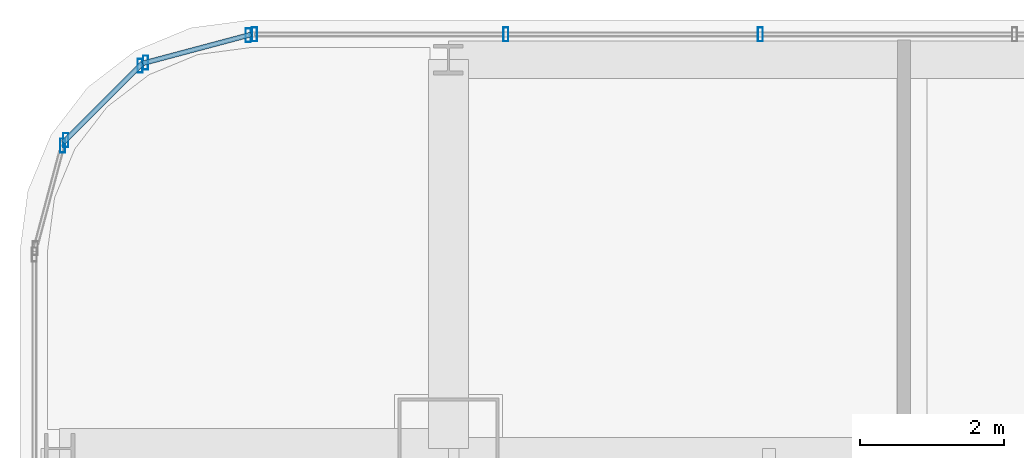
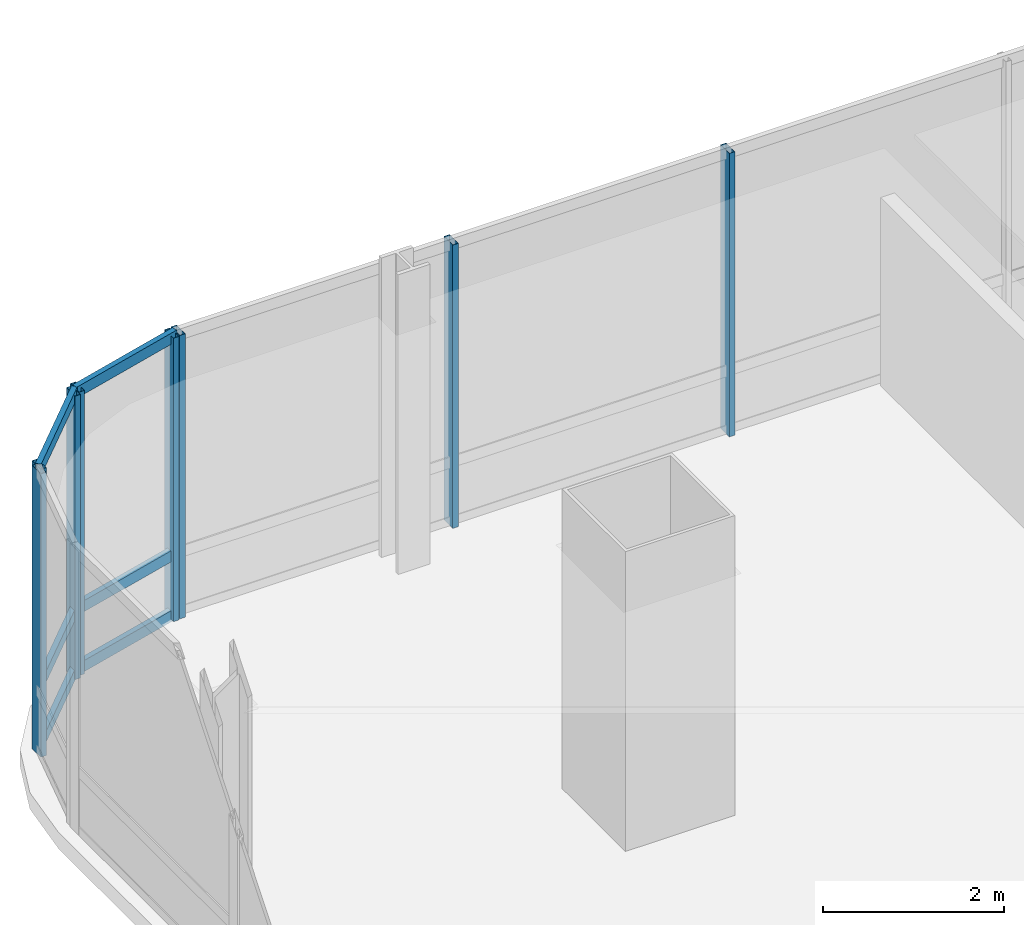
# One storey, part 21 of 38: 14 members, 4 elements without a shape of their own.
"""IFC4 building model written with IfcOpenShell, lengths in metres."""

from ifc_helpers import new_model, si_unit, direction, frame, origin, origin_2d, place, context, subcontext, project, spatial, hollow_rectangle, extrude, material, material_profile, profile_set, type_object, element, aggregate, save


model = new_model("IFC4")

# Units and contexts
model_context = context("Model", 3, precision=1e-05, world=origin(), true_north=direction((0.0, 1.0)))
body_context = subcontext(model_context, "Body", "Model", "MODEL_VIEW")
ifc_project = project(units=[si_unit("LENGTHUNIT", "METRE"), si_unit("AREAUNIT", "SQUARE_METRE"), si_unit("VOLUMEUNIT", "CUBIC_METRE"), si_unit("PLANEANGLEUNIT", "RADIAN"), si_unit("MASSUNIT", "GRAM", prefix="KILO")], contexts=[model_context])

# Site, building, storey
site_placement = place(None, origin())
site = spatial("IfcSite", under=ifc_project, at=site_placement, CompositionType="ELEMENT")
building_placement = place(site_placement, origin())
building = spatial("IfcBuilding", under=site, at=building_placement, Name="Punatoya Terracotta Tower", CompositionType="ELEMENT")
storey_placement = place(building_placement, frame((0.0, 0.0, 143.85009765625)))
storey = spatial("IfcBuildingStorey", under=building, at=storey_placement, Name="L33", CompositionType="ELEMENT", Elevation=143.85009765625)

# Curtain wall, members
ifc_material_1 = material(Name="Aluminium 6063-T6 + Double Low-E Glass", Category="aluminium")
curtain_wall_type = type_object("IfcCurtainWallType", Name="CW-M2", PredefinedType="NOTDEFINED", material=ifc_material_1)
curtain_wall_1_placement = place(storey_placement, origin())
curtain_wall_1 = element("IfcCurtainWall", 1, at=curtain_wall_1_placement, inside=storey, type_object=curtain_wall_type, Name="L33 Curtain Wall CW-L33-N09-1", PredefinedType="NOTDEFINED")
ifc_material_2 = material(Name="Aluminium 6063-T6", Category="aluminium")
ifc_material_profile_1 = material_profile(ifc_material_2, hollow_rectangle(XDim=0.072021484375, YDim=0.195068359375, WallThickness=0.00439453125, at=origin_2d()))
ifc_profile_set_1 = profile_set([ifc_material_profile_1], Name="Aluminium 6063-T6")
member_type_1 = type_object("IfcMemberType", Name="CW-MUL-M2", PredefinedType="MULLION", material=ifc_profile_set_1)
member_1_placement = place(storey_placement, frame((-14.768798828125, 23.25, 0.0), z_axis=(0.0, 0.0, 1.0), x_axis=(1.0, 0.0, 0.0)))
member_1 = element("IfcMember", 2, at=member_1_placement, type_object=member_type_1, Name="CW-L33-N09-1 Mullion 09", PredefinedType="MULLION", context=body_context, shape_type="SweptSolid", body=[
    extrude(hollow_rectangle(XDim=0.072021484375, YDim=0.195068359375, WallThickness=0.00439453125, at=origin_2d()), origin(), (0.0, 0.0, 1.0), 3.829833984375),
])
member_2_placement = place(storey_placement, frame((-18.302978515625, 23.25, 0.0), z_axis=(0.0, 0.0, 1.0), x_axis=(1.0, 0.0, 0.0)))
member_2 = element("IfcMember", 3, at=member_2_placement, type_object=member_type_1, Name="CW-L33-N09-1 Mullion 10", PredefinedType="MULLION", context=body_context, shape_type="SweptSolid", body=[
    extrude(hollow_rectangle(XDim=0.072021484375, YDim=0.195068359375, WallThickness=0.00439453125, at=origin_2d()), origin(), (0.0, 0.0, 1.0), 3.829833984375),
])
member_3_placement = place(storey_placement, frame((-21.7919921875, 23.25, 0.0), z_axis=(0.0, 0.0, 1.0), x_axis=(1.0, 0.0, 0.0)))
member_3 = element("IfcMember", 4, at=member_3_placement, type_object=member_type_1, Name="CW-L33-N09-1 Mullion 11", PredefinedType="MULLION", context=body_context, shape_type="SweptSolid", body=[
    extrude(hollow_rectangle(XDim=0.072021484375, YDim=0.195068359375, WallThickness=0.00439453125, at=origin_2d()), origin(), (0.0, 0.0, 1.0), 3.829833984375),
])
aggregate(curtain_wall_1, [member_1, member_2, member_3])

curtain_wall_2_placement = place(storey_placement, origin())
curtain_wall_2 = element("IfcCurtainWall", 5, at=curtain_wall_2_placement, inside=storey, type_object=curtain_wall_type, Name="L33 Curtain Wall CW-L33-CRN10", PredefinedType="NOTDEFINED")
member_4_placement = place(storey_placement, frame((-21.88037109375, 23.23828125, 0.0), z_axis=(0.0, 0.0, 1.0), x_axis=(1.0, 0.0, 0.0)))
member_4 = element("IfcMember", 6, at=member_4_placement, type_object=member_type_1, Name="CW-L33-CRN10 Mullion 00", PredefinedType="MULLION", context=body_context, shape_type="SweptSolid", body=[
    extrude(hollow_rectangle(XDim=0.072021484375, YDim=0.195068359375, WallThickness=0.00439453125, at=origin_2d()), origin(), (0.0, 0.0, 1.0), 3.829833984375),
])
member_5_placement = place(storey_placement, frame((-23.3056640625, 22.858154296875, 0.0), z_axis=(0.0, 0.0, 1.0), x_axis=(1.0, 0.0, 0.0)))
member_5 = element("IfcMember", 7, at=member_5_placement, type_object=member_type_1, Name="CW-L33-CRN10 Mullion 01", PredefinedType="MULLION", context=body_context, shape_type="SweptSolid", body=[
    extrude(hollow_rectangle(XDim=0.072021484375, YDim=0.195068359375, WallThickness=0.00439453125, at=origin_2d()), origin(), (0.0, 0.0, 1.0), 3.829833984375),
])

curtain_wall_3_placement = place(storey_placement, origin())
curtain_wall_3 = element("IfcCurtainWall", 8, at=curtain_wall_3_placement, inside=storey, type_object=curtain_wall_type, Name="L33 Curtain Wall CW-L33-CRN11", PredefinedType="NOTDEFINED")
member_6_placement = place(storey_placement, frame((-23.380859375, 22.814697265625, 0.0), z_axis=(0.0, 0.0, 1.0), x_axis=(1.0, 0.0, 0.0)))
member_6 = element("IfcMember", 9, at=member_6_placement, type_object=member_type_1, Name="CW-L33-CRN11 Mullion 00", PredefinedType="MULLION", context=body_context, shape_type="SweptSolid", body=[
    extrude(hollow_rectangle(XDim=0.072021484375, YDim=0.195068359375, WallThickness=0.00439453125, at=origin_2d()), origin(), (0.0, 0.0, 1.0), 3.829833984375),
])
member_7_placement = place(storey_placement, frame((-24.414794921875, 21.781005859375, 0.0), z_axis=(0.0, 0.0, 1.0), x_axis=(1.0, 0.0, 0.0)))
member_7 = element("IfcMember", 10, at=member_7_placement, type_object=member_type_1, Name="CW-L33-CRN11 Mullion 01", PredefinedType="MULLION", context=body_context, shape_type="SweptSolid", body=[
    extrude(hollow_rectangle(XDim=0.072021484375, YDim=0.195068359375, WallThickness=0.00439453125, at=origin_2d()), origin(), (0.0, 0.0, 1.0), 3.829833984375),
])

# Curtain wall, member
curtain_wall_4_placement = place(storey_placement, origin())
curtain_wall_4 = element("IfcCurtainWall", 11, at=curtain_wall_4_placement, inside=storey, type_object=curtain_wall_type, Name="L33 Curtain Wall CW-L33-CRN12", PredefinedType="NOTDEFINED")
member_8_placement = place(storey_placement, frame((-24.458251953125, 21.70556640625, 0.0), z_axis=(0.0, 0.0, 1.0), x_axis=(1.0, 0.0, 0.0)))
member_8 = element("IfcMember", 12, at=member_8_placement, type_object=member_type_1, Name="CW-L33-CRN12 Mullion 00", PredefinedType="MULLION", context=body_context, shape_type="SweptSolid", body=[
    extrude(hollow_rectangle(XDim=0.072021484375, YDim=0.195068359375, WallThickness=0.00439453125, at=origin_2d()), origin(), (0.0, 0.0, 1.0), 3.829833984375),
])
aggregate(curtain_wall_4, [member_8])

# Member
ifc_material_profile_2 = material_profile(ifc_material_2, hollow_rectangle(XDim=0.068115234375, YDim=0.14990234375, WallThickness=0.00390625, at=origin_2d()))
ifc_profile_set_2 = profile_set([ifc_material_profile_2], Name="Aluminium 6063-T6")
member_type_2 = type_object("IfcMemberType", Name="CW-TRN-TYP", PredefinedType="USERDEFINED", material=ifc_profile_set_2)
member_9_placement = place(storey_placement, frame((-21.8369140625, 23.25, 0.039794921875), z_axis=(-0.966224582397, -0.257701486942, 0.0), x_axis=(0.257701486942, -0.966224582397, 0.0)))
member_9 = element("IfcMember", 13, at=member_9_placement, type_object=member_type_2, Name="CW-L33-CRN10 Transom 1", ObjectType="TRANSOM", PredefinedType="USERDEFINED", context=body_context, shape_type="SweptSolid", body=[
    extrude(hollow_rectangle(XDim=0.068115234375, YDim=0.14990234375, WallThickness=0.00390625, at=origin_2d()), origin(), (0.0, 0.0, 1.0), 1.565185546875),
])

member_10_placement = place(storey_placement, frame((-21.8369140625, 23.25, 0.849853515625), z_axis=(-0.966224582397, -0.257701486942, 0.0), x_axis=(0.257701486942, -0.966224582397, 0.0)))
member_10 = element("IfcMember", 14, at=member_10_placement, type_object=member_type_2, Name="CW-L33-CRN10 Transom 2", ObjectType="TRANSOM", PredefinedType="USERDEFINED", context=body_context, shape_type="SweptSolid", body=[
    extrude(hollow_rectangle(XDim=0.068115234375, YDim=0.14990234375, WallThickness=0.00390625, at=origin_2d()), origin(), (0.0, 0.0, 1.0), 1.565185546875),
])

member_11_placement = place(storey_placement, frame((-21.8369140625, 23.25, 3.789794921875), z_axis=(-0.966224582397, -0.257701486942, 0.0), x_axis=(0.257701486942, -0.966224582397, 0.0)))
member_11 = element("IfcMember", 15, at=member_11_placement, type_object=member_type_2, Name="CW-L33-CRN10 Transom 3", ObjectType="TRANSOM", PredefinedType="USERDEFINED", context=body_context, shape_type="SweptSolid", body=[
    extrude(hollow_rectangle(XDim=0.068115234375, YDim=0.14990234375, WallThickness=0.00390625, at=origin_2d()), origin(), (0.0, 0.0, 1.0), 1.565185546875),
])

aggregate(curtain_wall_2, [member_4, member_5, member_9, member_10, member_11])

member_12_placement = place(storey_placement, frame((-23.34912109375, 22.8466796875, 0.039794921875), z_axis=(-0.707028130747, -0.707185422879, 0.0), x_axis=(0.707185422879, -0.707028130747, 0.0)))
member_12 = element("IfcMember", 16, at=member_12_placement, type_object=member_type_2, Name="CW-L33-CRN11 Transom 1", ObjectType="TRANSOM", PredefinedType="USERDEFINED", context=body_context, shape_type="SweptSolid", body=[
    extrude(hollow_rectangle(XDim=0.068115234375, YDim=0.14990234375, WallThickness=0.00390625, at=origin_2d()), origin(), (0.0, 0.0, 1.0), 1.55224609375),
])

member_13_placement = place(storey_placement, frame((-23.34912109375, 22.8466796875, 0.849853515625), z_axis=(-0.707028130747, -0.707185422879, 0.0), x_axis=(0.707185422879, -0.707028130747, 0.0)))
member_13 = element("IfcMember", 17, at=member_13_placement, type_object=member_type_2, Name="CW-L33-CRN11 Transom 2", ObjectType="TRANSOM", PredefinedType="USERDEFINED", context=body_context, shape_type="SweptSolid", body=[
    extrude(hollow_rectangle(XDim=0.068115234375, YDim=0.14990234375, WallThickness=0.00390625, at=origin_2d()), origin(), (0.0, 0.0, 1.0), 1.55224609375),
])

member_14_placement = place(storey_placement, frame((-23.34912109375, 22.8466796875, 3.789794921875), z_axis=(-0.707028130747, -0.707185422879, 0.0), x_axis=(0.707185422879, -0.707028130747, 0.0)))
member_14 = element("IfcMember", 18, at=member_14_placement, type_object=member_type_2, Name="CW-L33-CRN11 Transom 3", ObjectType="TRANSOM", PredefinedType="USERDEFINED", context=body_context, shape_type="SweptSolid", body=[
    extrude(hollow_rectangle(XDim=0.068115234375, YDim=0.14990234375, WallThickness=0.00390625, at=origin_2d()), origin(), (0.0, 0.0, 1.0), 1.55224609375),
])

aggregate(curtain_wall_3, [member_6, member_7, member_12, member_13, member_14])

save(model, "model.ifc")
